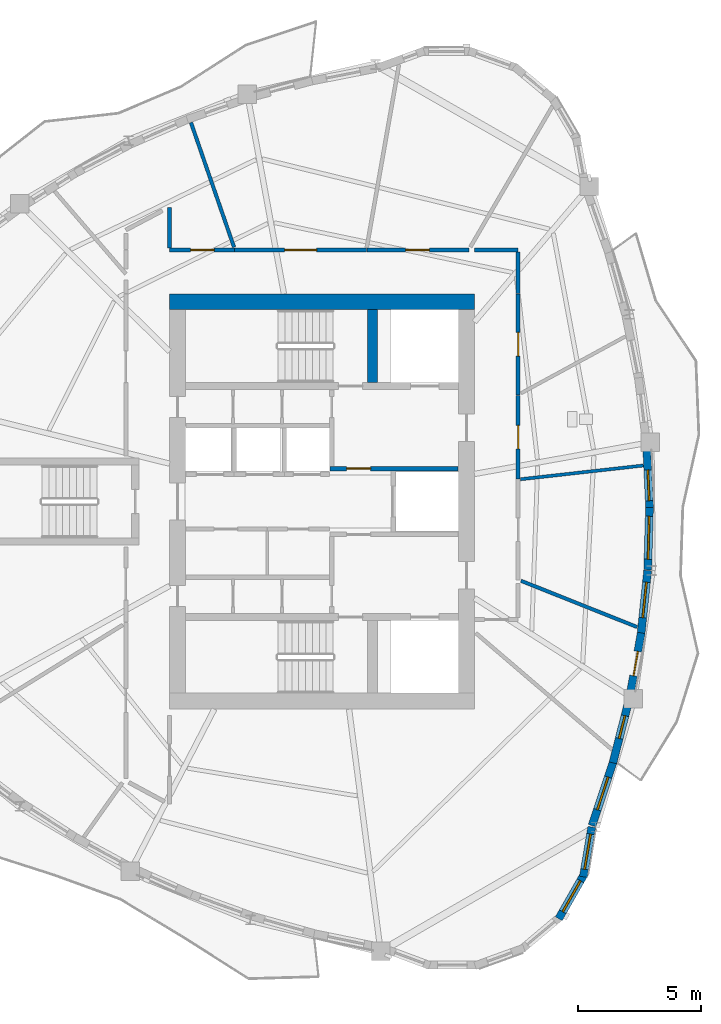
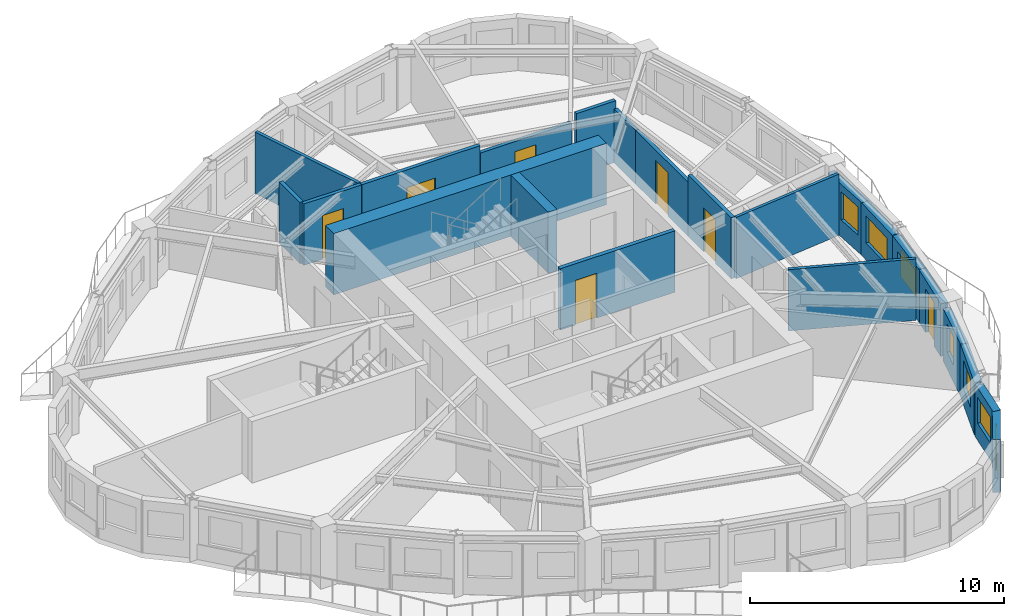
# One storey, part 6 of 12: 22 walls, 7 doors, 7 windows, 14 openings.
"""IFC4 building model written with IfcOpenShell, lengths in metres."""

import ifcopenshell
import ifcopenshell.guid

model = None  # the IFC model being written
_history = None  # IfcOwnerHistory: only IFC2X3 demands one
_inside = {}  # id of a spatial element -> (the spatial element, [elements in it])
_under = {}  # id of a project, library or spatial element -> (it, [spatial elements below it])
_declared = {}  # id of a project -> (the project, [libraries it declares])
_typed = {}  # id of a type object -> (the type object, [elements of that type])
_made_of = {}  # id of a material, layer set ... -> (it, [elements and type objects made of it])


def new_model(schema):
    """Start an empty IFC model of exactly this schema.

    Asked for "IFC4X3", IfcOpenShell would pick the latest addendum, in which some entities
    have other attributes; the version numbers below select the first issue.
    IFC2X3 requires an IfcOwnerHistory on every rooted entity: one is made here for all.
    """
    global model, _history
    if schema == "IFC4X3":
        model = ifcopenshell.file(schema_version=(4, 3, 0, 0))
    else:
        model = ifcopenshell.file(schema=schema)
    _inside.clear()
    _under.clear()
    _declared.clear()
    _typed.clear()
    _made_of.clear()
    _history = None
    if model.schema == "IFC2X3":
        org = make("IfcOrganization", Name="unknown")
        user = make(
            "IfcPersonAndOrganization",
            ThePerson=make("IfcPerson", FamilyName="unknown"),
            TheOrganization=org,
        )
        app = make(
            "IfcApplication",
            ApplicationDeveloper=org,
            Version="unknown",
            ApplicationFullName="unknown",
            ApplicationIdentifier="unknown",
        )
        _history = make(
            "IfcOwnerHistory",
            OwningUser=user,
            OwningApplication=app,
            ChangeAction="ADDED",
            CreationDate=0,
        )
    return model


def make(cls, **values):
    """One entity of the class cls with the attributes given. An attribute that is None is left unset."""
    return model.create_entity(
        cls, **{name: value for name, value in values.items() if value is not None}
    )


def rooted(cls, **values):
    """An entity with a GlobalId (a new one), such as an element, a storey or a relation."""
    return make(cls, GlobalId=ifcopenshell.guid.new(), OwnerHistory=_history, **values)


def si_unit(unit_type, name, prefix=None):
    """IfcSIUnit, for example si_unit("LENGTHUNIT", "METRE", prefix="MILLI")."""
    return make("IfcSIUnit", UnitType=unit_type, Prefix=prefix, Name=name)


def assignment(units):
    """IfcUnitAssignment: the units of a project."""
    return None if units is None else make("IfcUnitAssignment", Units=units)


def point(xyz):
    """IfcCartesianPoint."""
    return None if xyz is None else make("IfcCartesianPoint", Coordinates=xyz)


def direction(xyz):
    """IfcDirection."""
    return None if xyz is None else make("IfcDirection", DirectionRatios=xyz)


def frame(location, z_axis=None, x_axis=None):
    """IfcAxis2Placement3D, a coordinate frame: its origin and axes. An axis left out is left unset."""
    return make(
        "IfcAxis2Placement3D",
        Location=point(location),
        Axis=direction(z_axis),
        RefDirection=direction(x_axis),
    )


def frame_2d(location, x_axis=None):
    """IfcAxis2Placement2D, a coordinate frame in the plane: its origin and x axis."""
    return make(
        "IfcAxis2Placement2D", Location=point(location), RefDirection=direction(x_axis)
    )


def origin():
    """The frame at (0, 0, 0) with its axes left unset."""
    return frame((0.0, 0.0, 0.0))


def place(relative_to, where):
    """IfcLocalPlacement: puts the frame where relative to a parent placement (None: the world)."""
    return make(
        "IfcLocalPlacement", PlacementRelTo=relative_to, RelativePlacement=where
    )


def context(
    kind, dimensions, precision=None, world=None, true_north=None, identifier=None
):
    """IfcGeometricRepresentationContext, for example the 3D "Model" context."""
    return make(
        "IfcGeometricRepresentationContext",
        ContextIdentifier=identifier,
        ContextType=kind,
        CoordinateSpaceDimension=dimensions,
        Precision=precision,
        WorldCoordinateSystem=world,
        TrueNorth=true_north,
    )


def subcontext(parent, identifier, kind, view, scale=None):
    """IfcGeometricRepresentationSubContext, for example "Body" below "Model"."""
    return make(
        "IfcGeometricRepresentationSubContext",
        ContextIdentifier=identifier,
        ContextType=kind,
        ParentContext=parent,
        TargetScale=scale,
        TargetView=view,
    )


def project(units=None, contexts=None):
    """IfcProject with its units and contexts."""
    return rooted(
        "IfcProject",
        Name="project",
        RepresentationContexts=contexts,
        UnitsInContext=assignment(units),
    )


def spatial(cls, under=None, at=None, **own):
    """A site, building, storey or space (cls), placed at a placement, below another one or the project."""
    s = rooted(cls, ObjectPlacement=at, **own)
    if under is not None:
        _under.setdefault(under.id(), (under, []))[1].append(s)
    return s


def profile(cls, at=None, kind="AREA", **sizes):
    """A parametric profile (cls). Its sizes go by their IFC names, for example OverallWidth=200.0."""
    return make(cls, ProfileType=kind, Position=at, **sizes)


def rectangle(**sizes):
    """IfcRectangleProfileDef."""
    return profile("IfcRectangleProfileDef", **sizes)


def extrude(swept, where, along, depth):
    """IfcExtrudedAreaSolid: the profile swept, set in the frame where, extruded along a direction by depth."""
    return make(
        "IfcExtrudedAreaSolid",
        SweptArea=swept,
        Position=where,
        ExtrudedDirection=direction(along),
        Depth=depth,
    )


def shape(context_of_items, identifier, shape_type, items):
    """IfcShapeRepresentation: the items that make up one representation, for example the "Body"."""
    return make(
        "IfcShapeRepresentation",
        ContextOfItems=context_of_items,
        RepresentationIdentifier=identifier,
        RepresentationType=shape_type,
        Items=items,
    )


def source(mapping_origin, context_of_items, identifier, shape_type, items):
    """IfcRepresentationMap: a shape defined once, which mapped items show again and again."""
    return make(
        "IfcRepresentationMap",
        MappingOrigin=mapping_origin,
        MappedRepresentation=shape(context_of_items, identifier, shape_type, items),
    )


def transform(
    local_origin,
    x_axis=None,
    y_axis=None,
    z_axis=None,
    scale=None,
    scale2=None,
    scale3=None,
    uniform=True,
):
    """IfcCartesianTransformationOperator3D, or its non-uniform kind. x_axis, y_axis, z_axis: its Axis1, 2, 3."""
    if uniform:
        return make(
            "IfcCartesianTransformationOperator3D",
            Axis1=direction(x_axis),
            Axis2=direction(y_axis),
            LocalOrigin=point(local_origin),
            Scale=scale,
            Axis3=direction(z_axis),
        )
    return make(
        "IfcCartesianTransformationOperator3DnonUniform",
        Axis1=direction(x_axis),
        Axis2=direction(y_axis),
        LocalOrigin=point(local_origin),
        Scale=scale,
        Axis3=direction(z_axis),
        Scale2=scale2,
        Scale3=scale3,
    )


def mapped(mapping_source, mapping_target):
    """IfcMappedItem: shows the shape of a source again, moved by a transform."""
    return make(
        "IfcMappedItem", MappingSource=mapping_source, MappingTarget=mapping_target
    )


def material(Name=None, Category=None):
    """IfcMaterial."""
    return make("IfcMaterial", Name=Name, Category=Category)


def layer(
    of_material, thickness, ventilated=None, Name=None, Category=None, Priority=None
):
    """IfcMaterialLayer: one layer of a wall or slab, of a material (None: an air gap)."""
    return make(
        "IfcMaterialLayer",
        Material=of_material,
        LayerThickness=thickness,
        IsVentilated=ventilated,
        Name=Name,
        Category=Category,
        Priority=Priority,
    )


def layer_set(layers, Name=None):
    """IfcMaterialLayerSet."""
    return make("IfcMaterialLayerSet", MaterialLayers=layers, LayerSetName=Name)


def made_of(thing, what):
    """Note that an element or type object is made of a material, layer set ...; save() writes the relation."""
    if what is not None:
        _made_of.setdefault(what.id(), (what, []))[1].append(thing)
    return thing


def type_object(cls, material=None, **own):
    """A type object (cls), such as IfcWallType, which elements share."""
    return made_of(rooted(cls, **own), material)


def element(
    cls,
    number,
    at=None,
    inside=None,
    cuts=None,
    type_object=None,
    material=None,
    context=None,
    identifier="Body",
    shape_type=None,
    held_by="IfcProductDefinitionShape",
    body=None,
    shapes=None,
    **own,
):
    """One element of the class cls, such as IfcWall. Its Tag is "e" and its number.

    at: its placement. inside: the storey or other place that contains it. cuts: it is an
    opening in that element (IfcRelVoidsElement). A single representation is given by context,
    identifier, shape_type and body (its items); several are given by shapes. held_by: the class
    of the entity that holds the representations. save() writes the other relations.
    """
    e = rooted(cls, Tag="e%d" % number, ObjectPlacement=at, **own)
    if body is not None:
        shapes = [shape(context, identifier, shape_type, body)]
    if shapes is not None:
        e.Representation = make(held_by, Representations=shapes)
    if inside is not None:
        _inside.setdefault(inside.id(), (inside, []))[1].append(e)
    if cuts is not None:
        rooted(
            "IfcRelVoidsElement", RelatingBuildingElement=cuts, RelatedOpeningElement=e
        )
    if type_object is not None:
        _typed.setdefault(type_object.id(), (type_object, []))[1].append(e)
    return made_of(e, material)


def fill(opening, filler):
    """IfcRelFillsElement: the door or window that sits in an opening."""
    return rooted(
        "IfcRelFillsElement",
        RelatingOpeningElement=opening,
        RelatedBuildingElement=filler,
    )


def aggregate(whole, parts):
    """IfcRelAggregates: a whole, such as a stair, and the parts it consists of."""
    return rooted("IfcRelAggregates", RelatingObject=whole, RelatedObjects=parts)


def save(model, path):
    """Write the relations noted so far, then the file.

    IfcRelAggregates (storeys below a building ...), IfcRelContainedInSpatialStructure (elements
    in a storey), IfcRelDefinesByType, IfcRelAssociatesMaterial and IfcRelDeclares: one each for
    every whole, place, type object, material and project.
    """
    for whole, parts in _under.values():
        aggregate(whole, parts)
    for where, things in _inside.values():
        rooted(
            "IfcRelContainedInSpatialStructure",
            RelatedElements=things,
            RelatingStructure=where,
        )
    for kind, things in _typed.values():
        rooted("IfcRelDefinesByType", RelatedObjects=things, RelatingType=kind)
    for what, things in _made_of.values():
        rooted("IfcRelAssociatesMaterial", RelatedObjects=things, RelatingMaterial=what)
    for by, libraries in _declared.values():
        rooted("IfcRelDeclares", RelatingContext=by, RelatedDefinitions=libraries)
    model.write(path)


model = new_model("IFC4")

# Units and contexts
model_context = context("Model", 3, precision=1e-05, world=origin(), true_north=direction((0.0, 1.0)))
body_context = subcontext(model_context, "Body", "Model", "MODEL_VIEW")
ifc_project = project(units=[si_unit("LENGTHUNIT", "METRE"), si_unit("AREAUNIT", "SQUARE_METRE"), si_unit("VOLUMEUNIT", "CUBIC_METRE"), si_unit("PLANEANGLEUNIT", "RADIAN"), si_unit("MASSUNIT", "GRAM", prefix="KILO")], contexts=[model_context])

# Site, building, storey
site_placement = place(None, origin())
site = spatial("IfcSite", under=ifc_project, at=site_placement, CompositionType="ELEMENT")
building_placement = place(site_placement, origin())
building = spatial("IfcBuilding", under=site, at=building_placement, Name="Qafzar Sky-Pleat Residences", CompositionType="ELEMENT")
storey_placement = place(building_placement, frame((0.0, 0.0, 181.0)))
storey = spatial("IfcBuildingStorey", under=building, at=storey_placement, Name="L54", CompositionType="ELEMENT", Elevation=181.0)

# Wall, opening, door
ifc_material_1 = material(Name="Acoustic gypsum plasterboard partition", Category="gypsum")
ifc_layer_1 = layer(ifc_material_1, 0.159912109375)
ifc_layer_set_1 = layer_set([ifc_layer_1], Name="Acoustic gypsum plasterboard partition")
wall_type_1 = type_object("IfcWallType", Name="PART-COR-160", PredefinedType="PARTITIONING", material=ifc_layer_set_1)
wall_1_placement = place(storey_placement, frame((26.7958984375, 36.22998046875, 0.0), z_axis=(0.0, 0.0, 1.0), x_axis=(1.0, 0.0, 0.0)))
wall_1 = element("IfcWall", 1, at=wall_1_placement, inside=storey, type_object=wall_type_1, Name="L54 Partition Wall PART-L54-PW-003", PredefinedType="PARTITIONING", context=body_context, shape_type="SweptSolid", body=[
    extrude(rectangle(XDim=5.37109375, YDim=0.159912109375, at=frame_2d((2.685546875, 0.0))), origin(), (0.0, 0.0, 1.0), 2.949951171875),
])
opening_1_placement = place(wall_1_placement, frame((2.035888671875, 0.0, 0.0)))
opening_1 = element("IfcOpeningElement", 2, at=opening_1_placement, cuts=wall_1, Name="Opening ID-05", PredefinedType="OPENING", context=body_context, shape_type="SweptSolid", body=[
    extrude(rectangle(XDim=1.300048828125, YDim=2.10009765625, at=frame_2d((0.64990234375, 1.050048828125))), frame((0.0, 0.08984375, 0.0), z_axis=(0.0, -1.0, 0.0), x_axis=(1.0, 0.0, 0.0)), (0.0, 0.0, 1.0), 0.179931640625),
])
ifc_material_2 = material(Name="Timber-faced fire door", Category="wood")
door_type_1 = type_object("IfcDoorType", Name="DR-LNG-1300", OperationType="DOUBLE_DOOR_SINGLE_SWING", PredefinedType="DOOR", material=ifc_material_2)
shared_shape_1 = source(origin(), body_context, "Body", "SweptSolid", [
    extrude(rectangle(XDim=1.300048828125, YDim=2.10009765625, at=frame_2d((0.64990234375, 1.050048828125))), frame((0.0, 0.02490234375, 0.0), z_axis=(0.0, -1.0, 0.0), x_axis=(1.0, 0.0, 0.0)), (0.0, 0.0, 1.0), 0.050048828125),
])
door_1_placement = place(opening_1_placement, origin())
door_1 = element("IfcDoor", 3, at=door_1_placement, inside=storey, type_object=door_type_1, Name="L54 Graduate Lecture Room Door", OperationType="DOUBLE_DOOR_SINGLE_SWING", OverallHeight=2.10009765625, OverallWidth=1.300048828125, PredefinedType="DOOR", context=body_context, shape_type="MappedRepresentation", body=[
    mapped(shared_shape_1, transform((0.0, 0.0, 0.0), x_axis=(1.0, 0.0, 0.0), y_axis=(0.0, 1.0, 0.0), z_axis=(0.0, 0.0, 1.0), scale=1.0)),
])
fill(opening_1, door_1)

wall_2_placement = place(storey_placement, frame((32.181884765625, 36.22998046875, 0.0), z_axis=(0.0, 0.0, 1.0), x_axis=(1.0, 0.0, 0.0)))
wall_2 = element("IfcWall", 4, at=wall_2_placement, inside=storey, type_object=wall_type_1, Name="L54 Partition Wall PART-L54-PW-004", PredefinedType="PARTITIONING", context=body_context, shape_type="SweptSolid", body=[
    extrude(rectangle(XDim=4.149169921875, YDim=0.159912109375, at=frame_2d((2.07470703125, 0.0))), origin(), (0.0, 0.0, 1.0), 2.587890625),
])
opening_2_placement = place(wall_2_placement, frame((1.571044921875, 0.0, 0.0)))
opening_2 = element("IfcOpeningElement", 5, at=opening_2_placement, cuts=wall_2, Name="Opening ID-06", PredefinedType="OPENING", context=body_context, shape_type="SweptSolid", body=[
    extrude(rectangle(XDim=0.9599609375, YDim=2.10009765625, at=frame_2d((0.47998046875, 1.050048828125))), frame((0.0, 0.08984375, 0.0), z_axis=(0.0, -1.0, 0.0), x_axis=(1.0, 0.0, 0.0)), (0.0, 0.0, 1.0), 0.179931640625),
])
door_type_2 = type_object("IfcDoorType", Name="DR-STD-960", OperationType="NOTDEFINED", PredefinedType="DOOR", material=ifc_material_2)
shared_shape_2 = source(origin(), body_context, "Body", "SweptSolid", [
    extrude(rectangle(XDim=0.9599609375, YDim=2.10009765625, at=frame_2d((0.47998046875, 1.050048828125))), frame((0.0, 0.02490234375, 0.0), z_axis=(0.0, -1.0, 0.0), x_axis=(1.0, 0.0, 0.0)), (0.0, 0.0, 1.0), 0.050048828125),
])
door_2_placement = place(opening_2_placement, origin())
door_2 = element("IfcDoor", 6, at=door_2_placement, inside=storey, type_object=door_type_2, Name="L54 Scholar Co-Working Workspace Door", OperationType="SINGLE_SWING_LEFT", OverallHeight=2.10009765625, OverallWidth=0.9599609375, PredefinedType="DOOR", context=body_context, shape_type="MappedRepresentation", body=[
    mapped(shared_shape_2, transform((0.0, 0.0, 0.0), x_axis=(1.0, 0.0, 0.0), y_axis=(0.0, 1.0, 0.0), z_axis=(0.0, 0.0, 1.0), scale=1.0)),
])
fill(opening_2, door_2)

wall_3_placement = place(storey_placement, frame((38.330078125, 34.449951171875, 0.0), z_axis=(0.0, 0.0, 1.0), x_axis=(0.0, -1.0, 0.0)))
wall_3 = element("IfcWall", 7, at=wall_3_placement, inside=storey, type_object=wall_type_1, Name="L54 Partition Wall PART-L54-PW-005", PredefinedType="PARTITIONING", context=body_context, shape_type="SweptSolid", body=[
    extrude(rectangle(XDim=4.1259765625, YDim=0.159912109375, at=frame_2d((2.06298828125, 0.0))), origin(), (0.0, 0.0, 1.0), 2.587890625),
])
opening_3_placement = place(wall_3_placement, frame((1.574462890625, 0.0, 0.0)))
opening_3 = element("IfcOpeningElement", 8, at=opening_3_placement, cuts=wall_3, Name="Opening ID-06", PredefinedType="OPENING", context=body_context, shape_type="SweptSolid", body=[
    extrude(rectangle(XDim=0.9599609375, YDim=2.10009765625, at=frame_2d((0.47998046875, 1.050048828125))), frame((0.0, 0.08984375, 0.0), z_axis=(0.0, -1.0, 0.0), x_axis=(1.0, 0.0, 0.0)), (0.0, 0.0, 1.0), 0.179931640625),
])
door_3_placement = place(opening_3_placement, origin())
door_3 = element("IfcDoor", 9, at=door_3_placement, inside=storey, type_object=door_type_2, Name="L54 Faculty Research Office Door", OperationType="SINGLE_SWING_RIGHT", OverallHeight=2.10009765625, OverallWidth=0.9599609375, PredefinedType="DOOR", context=body_context, shape_type="MappedRepresentation", body=[
    mapped(shared_shape_2, transform((0.0, 0.0, 0.0), x_axis=(1.0, 0.0, 0.0), y_axis=(0.0, 1.0, 0.0), z_axis=(0.0, 0.0, 1.0), scale=1.0)),
])
fill(opening_3, door_3)

wall_4_placement = place(storey_placement, frame((38.330078125, 30.30908203125, 0.0), z_axis=(0.0, 0.0, 1.0), x_axis=(0.0, -1.0, 0.0)))
wall_4 = element("IfcWall", 10, at=wall_4_placement, inside=storey, type_object=wall_type_1, Name="L54 Partition Wall PART-L54-PW-008", PredefinedType="PARTITIONING", context=body_context, shape_type="SweptSolid", body=[
    extrude(rectangle(XDim=3.385009765625, YDim=0.159912109375, at=frame_2d((1.6923828125, 0.0))), origin(), (0.0, 0.0, 1.0), 2.949951171875),
])
opening_4_placement = place(wall_4_placement, frame((1.216552734375, 0.0, 0.0)))
opening_4 = element("IfcOpeningElement", 11, at=opening_4_placement, cuts=wall_4, Name="Opening ID-08", PredefinedType="OPENING", context=body_context, shape_type="SweptSolid", body=[
    extrude(rectangle(XDim=0.949951171875, YDim=2.10009765625, at=frame_2d((0.47509765625, 1.050048828125))), frame((0.0, 0.08984375, 0.0), z_axis=(0.0, -1.0, 0.0), x_axis=(1.0, 0.0, 0.0)), (0.0, 0.0, 1.0), 0.179931640625),
])
door_type_3 = type_object("IfcDoorType", Name="DR-AWC-950", OperationType="NOTDEFINED", PredefinedType="DOOR", material=ifc_material_2)
shared_shape_3 = source(origin(), body_context, "Body", "SweptSolid", [
    extrude(rectangle(XDim=0.949951171875, YDim=2.10009765625, at=frame_2d((0.47509765625, 1.050048828125))), frame((0.0, 0.02490234375, 0.0), z_axis=(0.0, -1.0, 0.0), x_axis=(1.0, 0.0, 0.0)), (0.0, 0.0, 1.0), 0.050048828125),
])
door_4_placement = place(opening_4_placement, origin())
door_4 = element("IfcDoor", 12, at=door_4_placement, inside=storey, type_object=door_type_3, Name="L54 Accessible Shared Washroom Door", OperationType="SINGLE_SWING_RIGHT", OverallHeight=2.10009765625, OverallWidth=0.949951171875, PredefinedType="DOOR", context=body_context, shape_type="MappedRepresentation", body=[
    mapped(shared_shape_3, transform((0.0, 0.0, 0.0), x_axis=(1.0, 0.0, 0.0), y_axis=(0.0, 1.0, 0.0), z_axis=(0.0, 0.0, 1.0), scale=1.0)),
])
fill(opening_4, door_4)

wall_5_placement = place(storey_placement, frame((24.14990234375, 36.22998046875, 0.0), z_axis=(0.0, 0.0, 1.0), x_axis=(1.0, 0.0, 0.0)))
wall_5 = element("IfcWall", 13, at=wall_5_placement, inside=storey, type_object=wall_type_1, Name="L54 Partition Wall PART-L54-PW-010", PredefinedType="PARTITIONING", context=body_context, shape_type="SweptSolid", body=[
    extrude(rectangle(XDim=2.631103515625, YDim=0.159912109375, at=frame_2d((1.3154296875, 0.0))), origin(), (0.0, 0.0, 1.0), 2.949951171875),
])
opening_5_placement = place(wall_5_placement, frame((0.85107421875, 0.0, 0.0)))
opening_5 = element("IfcOpeningElement", 14, at=opening_5_placement, cuts=wall_5, Name="Opening ID-06", PredefinedType="OPENING", context=body_context, shape_type="SweptSolid", body=[
    extrude(rectangle(XDim=0.9599609375, YDim=2.10009765625, at=frame_2d((0.47998046875, 1.050048828125))), frame((0.0, 0.08984375, 0.0), z_axis=(0.0, -1.0, 0.0), x_axis=(1.0, 0.0, 0.0)), (0.0, 0.0, 1.0), 0.179931640625),
])
door_5_placement = place(opening_5_placement, origin())
door_5 = element("IfcDoor", 15, at=door_5_placement, inside=storey, type_object=door_type_2, Name="L54 Wellness Yoga Studio Door", OperationType="SINGLE_SWING_LEFT", OverallHeight=2.10009765625, OverallWidth=0.9599609375, PredefinedType="DOOR", context=body_context, shape_type="MappedRepresentation", body=[
    mapped(shared_shape_2, transform((0.0, 0.0, 0.0), x_axis=(1.0, 0.0, 0.0), y_axis=(0.0, 1.0, 0.0), z_axis=(0.0, 0.0, 1.0), scale=1.0)),
])
fill(opening_5, door_5)

# Walls
wall_6_placement = place(storey_placement, frame((36.550048828125, 36.22998046875, 0.0), z_axis=(0.0, 0.0, 1.0), x_axis=(1.0, 0.0, 0.0)))
element("IfcWall", 16, at=wall_6_placement, inside=storey, type_object=wall_type_1, Name="L54 Partition Wall PART-L54-PW-024", PredefinedType="PARTITIONING", context=body_context, shape_type="SweptSolid", body=[
    extrude(rectangle(XDim=1.780029296875, YDim=0.159912109375, at=frame_2d((0.89013671875, 0.0))), origin(), (0.0, 0.0, 1.0), 2.949951171875),
])
wall_7_placement = place(storey_placement, frame((38.330078125, 34.465087890625, 0.0), z_axis=(0.0, 0.0, 1.0), x_axis=(0.0, 1.0, 0.0)))
element("IfcWall", 17, at=wall_7_placement, inside=storey, type_object=wall_type_1, Name="L54 Partition Wall PART-L54-PW-025", PredefinedType="PARTITIONING", context=body_context, shape_type="SweptSolid", body=[
    extrude(rectangle(XDim=1.677001953125, YDim=0.159912109375, at=frame_2d((0.83837890625, 0.0))), origin(), (0.0, 0.0, 1.0), 2.587890625),
])
wall_8_placement = place(storey_placement, frame((24.14990234375, 36.318115234375, 0.0), z_axis=(0.0, 0.0, 1.0), x_axis=(0.0, 1.0, 0.0)))
element("IfcWall", 18, at=wall_8_placement, inside=storey, type_object=wall_type_1, Name="L54 Partition Wall PART-L54-PW-026", PredefinedType="PARTITIONING", context=body_context, shape_type="SweptSolid", body=[
    extrude(rectangle(XDim=1.637939453125, YDim=0.159912109375, at=frame_2d((0.81884765625, 0.0))), origin(), (0.0, 0.0, 1.0), 2.949951171875),
])

# Wall, opening, door
ifc_material_3 = material(Name="Concrete blockwork partition", Category="masonry")
ifc_layer_2 = layer(ifc_material_3, 0.179931640625)
ifc_layer_set_2 = layer_set([ifc_layer_2], Name="Concrete blockwork partition")
wall_type_2 = type_object("IfcWallType", Name="PART-SHAFT-180", PredefinedType="PARTITIONING", material=ifc_layer_set_2)
wall_9_placement = place(storey_placement, frame((30.669921875, 27.340087890625, 0.0), z_axis=(0.0, 0.0, 1.0), x_axis=(1.0, 0.0, 0.0)))
wall_9 = element("IfcWall", 19, at=wall_9_placement, inside=storey, type_object=wall_type_2, Name="L54 Partition Wall PART-L54-FFL2-S", PredefinedType="PARTITIONING", context=body_context, shape_type="SweptSolid", body=[
    extrude(rectangle(XDim=5.219970703125, YDim=0.179931640625, at=frame_2d((2.60986328125, 0.0))), origin(), (0.0, 0.0, 1.0), 2.949951171875),
])
opening_6_placement = place(wall_9_placement, frame((0.679931640625, 0.0, 0.0)))
opening_6 = element("IfcOpeningElement", 20, at=opening_6_placement, cuts=wall_9, Name="Opening ID-01", PredefinedType="OPENING", context=body_context, shape_type="SweptSolid", body=[
    extrude(rectangle(XDim=0.97998046875, YDim=2.14990234375, at=frame_2d((0.489990234375, 1.074951171875))), frame((0.0, 0.10009765625, 0.0), z_axis=(0.0, -1.0, 0.0), x_axis=(1.0, 0.0, 0.0)), (0.0, 0.0, 1.0), 0.199951171875),
])
door_type_4 = type_object("IfcDoorType", Name="DR-STAIR-980", OperationType="NOTDEFINED", PredefinedType="DOOR", material=ifc_material_2)
shared_shape_4 = source(origin(), body_context, "Body", "SweptSolid", [
    extrude(rectangle(XDim=0.97998046875, YDim=2.14990234375, at=frame_2d((0.489990234375, 1.074951171875))), frame((0.0, 0.02490234375, 0.0), z_axis=(0.0, -1.0, 0.0), x_axis=(1.0, 0.0, 0.0)), (0.0, 0.0, 1.0), 0.050048828125),
])
door_6_placement = place(opening_6_placement, origin())
door_6 = element("IfcDoor", 21, at=door_6_placement, inside=storey, type_object=door_type_4, Name="L54 Lift Lobby to North Firefighting Lobby Door", OperationType="SINGLE_SWING_LEFT", OverallHeight=2.14990234375, OverallWidth=0.97998046875, PredefinedType="DOOR", context=body_context, shape_type="MappedRepresentation", body=[
    mapped(shared_shape_4, transform((0.0, 0.0, 0.0), x_axis=(1.0, 0.0, 0.0), y_axis=(0.0, 1.0, 0.0), z_axis=(0.0, 0.0, 1.0), scale=1.0)),
])
fill(opening_6, door_6)

# Walls
ifc_layer_3 = layer(ifc_material_1, 0.14501953125)
ifc_layer_set_3 = layer_set([ifc_layer_3], Name="Acoustic gypsum plasterboard partition")
wall_type_3 = type_object("IfcWallType", Name="PART-UNIT-145", PredefinedType="PARTITIONING", material=ifc_layer_set_3)
wall_10_placement = place(storey_placement, frame((25.0185546875, 41.416015625, 0.0), z_axis=(0.0, 0.0, 1.0), x_axis=(0.326820085254, -0.945086573746, 0.0)))
element("IfcWall", 22, at=wall_10_placement, inside=storey, type_object=wall_type_3, Name="L54 Partition Wall PART-L54-PW-017", PredefinedType="PARTITIONING", context=body_context, shape_type="SweptSolid", body=[
    extrude(rectangle(XDim=5.36962890625, YDim=0.14501953125, at=frame_2d((2.684814453125, 0.0))), origin(), (0.0, 0.0, 1.0), 2.949951171875),
])
wall_11_placement = place(storey_placement, frame((38.4443359375, 22.7744140625, 0.0), z_axis=(0.0, 0.0, 1.0), x_axis=(0.928995588187, -0.37009079579, 0.0)))
element("IfcWall", 23, at=wall_11_placement, inside=storey, type_object=wall_type_3, Name="L54 Partition Wall PART-L54-PW-018", PredefinedType="PARTITIONING", context=body_context, shape_type="SweptSolid", body=[
    extrude(rectangle(XDim=5.08544921875, YDim=0.14501953125, at=frame_2d((2.542724609375, 0.0))), origin(), (0.0, 0.0, 1.0), 2.949951171875),
])
ifc_material_4 = material(Name="Moisture-resistant gypsum partition", Category="gypsum")
ifc_layer_4 = layer(ifc_material_4, 0.1298828125)
ifc_layer_set_4 = layer_set([ifc_layer_4], Name="Moisture-resistant gypsum partition")
wall_type_4 = type_object("IfcWallType", Name="PART-WET-130", PredefinedType="PARTITIONING", material=ifc_layer_set_4)
wall_12_placement = place(storey_placement, frame((38.42529296875, 26.904541015625, 0.0), z_axis=(0.0, 0.0, 1.0), x_axis=(0.993793959726, 0.111236530025, 0.0)))
element("IfcWall", 24, at=wall_12_placement, inside=storey, type_object=wall_type_4, Name="L54 Partition Wall PART-L54-PW-019", PredefinedType="PARTITIONING", context=body_context, shape_type="SweptSolid", body=[
    extrude(rectangle(XDim=5.026123046875, YDim=0.1298828125, at=frame_2d((2.51318359375, 0.0))), origin(), (0.0, 0.0, 1.0), 2.949951171875),
])

# Wall, opening, window
ifc_material_5 = material(Name="Precast concrete C40/50 with honed Riyadh limestone", Category="concrete")
ifc_layer_5 = layer(ifc_material_5, 0.320068359375)
ifc_layer_set_5 = layer_set([ifc_layer_5], Name="Precast concrete C40/50 with honed Riyadh limestone")
wall_type_5 = type_object("IfcWallType", Name="WALL-EXT-320", PredefinedType="SOLIDWALL", material=ifc_layer_set_5)
wall_13_placement = place(storey_placement, frame((39.980224609375, 9.025390625, 0.0), z_axis=(0.0, 0.0, 1.0), x_axis=(0.495714993308, 0.868485259178, 0.0)))
wall_13 = element("IfcWall", 25, at=wall_13_placement, inside=storey, type_object=wall_type_5, Name="L54 Limestone Facade Wall 21", PredefinedType="SOLIDWALL", context=body_context, shape_type="SweptSolid", body=[
    extrude(rectangle(XDim=2.10888671875, YDim=0.320068359375, at=frame_2d((1.054443359375, 0.0))), origin(), (0.0, 0.0, 1.0), 2.530029296875),
])
opening_7_placement = place(wall_13_placement, frame((0.329345703125, 0.0, 0.820068359375)))
opening_7 = element("IfcOpeningElement", 26, at=opening_7_placement, cuts=wall_13, Name="Opening WN-15", PredefinedType="OPENING", context=body_context, shape_type="SweptSolid", body=[
    extrude(rectangle(XDim=1.449951171875, YDim=1.25, at=frame_2d((0.72509765625, 0.625))), frame((0.0, 0.169921875, 0.0), z_axis=(0.0, -1.0, 0.0), x_axis=(1.0, 0.0, 0.0)), (0.0, 0.0, 1.0), 0.340087890625),
])
ifc_material_6 = material(Name="Solar-control low-E glass in bronze aluminium frame", Category="glass")
window_type_1 = type_object("IfcWindowType", Name="WIN-15", PartitioningType="SINGLE_PANEL", PredefinedType="WINDOW", material=ifc_material_6)
shared_shape_5 = source(origin(), body_context, "Body", "SweptSolid", [
    extrude(rectangle(XDim=1.449951171875, YDim=1.25, at=frame_2d((0.72509765625, 0.625))), frame((0.0, 0.030029296875, 0.0), z_axis=(0.0, -1.0, 0.0), x_axis=(1.0, 0.0, 0.0)), (0.0, 0.0, 1.0), 0.06005859375),
])
window_1_placement = place(opening_7_placement, origin())
window_1 = element("IfcWindow", 27, at=window_1_placement, inside=storey, type_object=window_type_1, Name="L54 Punched Facade Window 21", OverallHeight=1.25, OverallWidth=1.449951171875, PartitioningType="SINGLE_PANEL", PredefinedType="WINDOW", context=body_context, shape_type="MappedRepresentation", body=[
    mapped(shared_shape_5, transform((0.0, 0.0, 0.0), x_axis=(1.0, 0.0, 0.0), y_axis=(0.0, 1.0, 0.0), z_axis=(0.0, 0.0, 1.0), scale=1.0)),
])
fill(opening_7, window_1)

wall_14_placement = place(storey_placement, frame((40.981689453125, 10.733642578125, 0.0), z_axis=(0.0, 0.0, 1.0), x_axis=(0.165711561454, 0.986174263708, 0.0)))
wall_14 = element("IfcWall", 28, at=wall_14_placement, inside=storey, type_object=wall_type_5, Name="L54 Limestone Facade Wall 22", PredefinedType="SOLIDWALL", context=body_context, shape_type="SweptSolid", body=[
    extrude(rectangle(XDim=2.05078125, YDim=0.320068359375, at=frame_2d((1.025390625, 0.0))), origin(), (0.0, 0.0, 1.0), 2.530029296875),
])
opening_8_placement = place(wall_14_placement, frame((0.310302734375, 0.0, 0.820068359375)))
opening_8 = element("IfcOpeningElement", 29, at=opening_8_placement, cuts=wall_14, Name="Opening WN-15", PredefinedType="OPENING", context=body_context, shape_type="SweptSolid", body=[
    extrude(rectangle(XDim=1.449951171875, YDim=1.25, at=frame_2d((0.72509765625, 0.625))), frame((0.0, 0.169921875, 0.0), z_axis=(0.0, -1.0, 0.0), x_axis=(1.0, 0.0, 0.0)), (0.0, 0.0, 1.0), 0.340087890625),
])
window_2_placement = place(opening_8_placement, origin())
window_2 = element("IfcWindow", 30, at=window_2_placement, inside=storey, type_object=window_type_1, Name="L54 Punched Facade Window 22", OverallHeight=1.25, OverallWidth=1.449951171875, PartitioningType="SINGLE_PANEL", PredefinedType="WINDOW", context=body_context, shape_type="MappedRepresentation", body=[
    mapped(shared_shape_5, transform((0.0, 0.0, 0.0), x_axis=(1.0, 0.0, 0.0), y_axis=(0.0, 1.0, 0.0), z_axis=(0.0, 0.0, 1.0), scale=1.0)),
])
fill(opening_8, window_2)

wall_15_placement = place(storey_placement, frame((41.3369140625, 12.818603515625, 0.0), z_axis=(0.0, 0.0, 1.0), x_axis=(0.31443095402, 0.949280345922, 0.0)))
wall_15 = element("IfcWall", 31, at=wall_15_placement, inside=storey, type_object=wall_type_5, Name="L54 Limestone Facade Wall 23", PredefinedType="SOLIDWALL", context=body_context, shape_type="SweptSolid", body=[
    extrude(rectangle(XDim=2.772705078125, YDim=0.320068359375, at=frame_2d((1.38623046875, 0.0))), origin(), (0.0, 0.0, 1.0), 2.530029296875),
])
opening_9_placement = place(wall_15_placement, frame((0.67626953125, 0.0, 0.820068359375)))
opening_9 = element("IfcOpeningElement", 32, at=opening_9_placement, cuts=wall_15, Name="Opening WN-10", PredefinedType="OPENING", context=body_context, shape_type="SweptSolid", body=[
    extrude(rectangle(XDim=1.39990234375, YDim=1.35009765625, at=frame_2d((0.699951171875, 0.675048828125))), frame((0.0, 0.169921875, 0.0), z_axis=(0.0, -1.0, 0.0), x_axis=(1.0, 0.0, 0.0)), (0.0, 0.0, 1.0), 0.340087890625),
])
window_type_2 = type_object("IfcWindowType", Name="WIN-10", PartitioningType="SINGLE_PANEL", PredefinedType="WINDOW", material=ifc_material_6)
shared_shape_6 = source(origin(), body_context, "Body", "SweptSolid", [
    extrude(rectangle(XDim=1.39990234375, YDim=1.35009765625, at=frame_2d((0.699951171875, 0.675048828125))), frame((0.0, 0.030029296875, 0.0), z_axis=(0.0, -1.0, 0.0), x_axis=(1.0, 0.0, 0.0)), (0.0, 0.0, 1.0), 0.06005859375),
])
window_3_placement = place(opening_9_placement, origin())
window_3 = element("IfcWindow", 33, at=window_3_placement, inside=storey, type_object=window_type_2, Name="L54 Punched Facade Window 23", OverallHeight=1.35009765625, OverallWidth=1.39990234375, PartitioningType="SINGLE_PANEL", PredefinedType="WINDOW", context=body_context, shape_type="MappedRepresentation", body=[
    mapped(shared_shape_6, transform((0.0, 0.0, 0.0), x_axis=(1.0, 0.0, 0.0), y_axis=(0.0, 1.0, 0.0), z_axis=(0.0, 0.0, 1.0), scale=1.0)),
])
fill(opening_9, window_3)

wall_16_placement = place(storey_placement, frame((42.18408203125, 15.3671875, 0.0), z_axis=(0.0, 0.0, 1.0), x_axis=(0.247650778908, 0.968849364817, 0.0)))
wall_16 = element("IfcWall", 34, at=wall_16_placement, inside=storey, type_object=wall_type_5, Name="L54 Limestone Facade Wall 24", PredefinedType="SOLIDWALL", context=body_context, shape_type="SweptSolid", body=[
    extrude(rectangle(XDim=2.570068359375, YDim=0.320068359375, at=frame_2d((1.28515625, 0.0))), origin(), (0.0, 0.0, 1.0), 2.530029296875),
])
opening_10_placement = place(wall_16_placement, frame((1.02783203125, 0.0, 0.820068359375)))
opening_10 = element("IfcOpeningElement", 35, at=opening_10_placement, cuts=wall_16, Name="Opening WN-12", PredefinedType="OPENING", context=body_context, shape_type="SweptSolid", body=[
    extrude(rectangle(XDim=0.949951171875, YDim=1.35009765625, at=frame_2d((0.47509765625, 0.675048828125))), frame((0.0, 0.169921875, 0.0), z_axis=(0.0, -1.0, 0.0), x_axis=(1.0, 0.0, 0.0)), (0.0, 0.0, 1.0), 0.340087890625),
])
window_type_3 = type_object("IfcWindowType", Name="WIN-12", PartitioningType="SINGLE_PANEL", PredefinedType="WINDOW", material=ifc_material_6)
shared_shape_7 = source(origin(), body_context, "Body", "SweptSolid", [
    extrude(rectangle(XDim=0.949951171875, YDim=1.35009765625, at=frame_2d((0.47509765625, 0.675048828125))), frame((0.0, 0.030029296875, 0.0), z_axis=(0.0, -1.0, 0.0), x_axis=(1.0, 0.0, 0.0)), (0.0, 0.0, 1.0), 0.06005859375),
])
window_4_placement = place(opening_10_placement, origin())
window_4 = element("IfcWindow", 36, at=window_4_placement, inside=storey, type_object=window_type_3, Name="L54 Punched Facade Window 24-2", OverallHeight=1.35009765625, OverallWidth=0.949951171875, PartitioningType="SINGLE_PANEL", PredefinedType="WINDOW", context=body_context, shape_type="MappedRepresentation", body=[
    mapped(shared_shape_7, transform((0.0, 0.0, 0.0), x_axis=(1.0, 0.0, 0.0), y_axis=(0.0, 1.0, 0.0), z_axis=(0.0, 0.0, 1.0), scale=1.0)),
])
fill(opening_10, window_4)

# Wall, opening, door
wall_17_placement = place(storey_placement, frame((42.88818359375, 18.168212890625, 0.0), z_axis=(0.0, 0.0, 1.0), x_axis=(0.177158615295, 0.984182312901, 0.0)))
wall_17 = element("IfcWall", 37, at=wall_17_placement, inside=storey, type_object=wall_type_5, Name="L54 Limestone Facade Wall 25", PredefinedType="SOLIDWALL", context=body_context, shape_type="SweptSolid", body=[
    extrude(rectangle(XDim=2.526123046875, YDim=0.320068359375, at=frame_2d((1.26318359375, 0.0))), origin(), (0.0, 0.0, 1.0), 2.530029296875),
])
opening_11_placement = place(wall_17_placement, frame((0.758056640625, 0.0, 0.0)))
opening_11 = element("IfcOpeningElement", 38, at=opening_11_placement, cuts=wall_17, Name="Opening ED-05", PredefinedType="OPENING", context=body_context, shape_type="SweptSolid", body=[
    extrude(rectangle(XDim=1.0, YDim=2.10009765625, at=frame_2d((0.5, 1.050048828125))), frame((0.0, 0.169921875, 0.0), z_axis=(0.0, -1.0, 0.0), x_axis=(1.0, 0.0, 0.0)), (0.0, 0.0, 1.0), 0.340087890625),
])
ifc_material_7 = material(Name="Glazed bronze aluminium door", Category="aluminium")
door_type_5 = type_object("IfcDoorType", Name="DR-BAL-1000", OperationType="NOTDEFINED", PredefinedType="DOOR", material=ifc_material_7)
shared_shape_8 = source(origin(), body_context, "Body", "SweptSolid", [
    extrude(rectangle(XDim=1.0, YDim=2.10009765625, at=frame_2d((0.5, 1.050048828125))), frame((0.0, 0.02490234375, 0.0), z_axis=(0.0, -1.0, 0.0), x_axis=(1.0, 0.0, 0.0)), (0.0, 0.0, 1.0), 0.050048828125),
])
door_7_placement = place(opening_11_placement, origin())
door_7 = element("IfcDoor", 39, at=door_7_placement, inside=storey, type_object=door_type_5, Name="L54 Glazed Balcony Door 1", OperationType="SINGLE_SWING_RIGHT", OverallHeight=2.10009765625, OverallWidth=1.0, PredefinedType="DOOR", context=body_context, shape_type="MappedRepresentation", body=[
    mapped(shared_shape_8, transform((0.0, 0.0, 0.0), x_axis=(1.0, 0.0, 0.0), y_axis=(0.0, 1.0, 0.0), z_axis=(0.0, 0.0, 1.0), scale=1.0)),
])
fill(opening_11, door_7)

# Wall, opening, window
wall_18_placement = place(storey_placement, frame((43.3232421875, 20.5673828125, 0.0), z_axis=(0.0, 0.0, 1.0), x_axis=(0.10362132496, 0.9946168212, 0.0)))
wall_18 = element("IfcWall", 40, at=wall_18_placement, inside=storey, type_object=wall_type_5, Name="L54 Limestone Facade Wall 26", PredefinedType="SOLIDWALL", context=body_context, shape_type="SweptSolid", body=[
    extrude(rectangle(XDim=2.64111328125, YDim=0.320068359375, at=frame_2d((1.320556640625, 0.0))), origin(), (0.0, 0.0, 1.0), 2.530029296875),
])
opening_12_placement = place(wall_18_placement, frame((0.714111328125, 0.0, 0.820068359375)))
opening_12 = element("IfcOpeningElement", 41, at=opening_12_placement, cuts=wall_18, Name="Opening WN-15", PredefinedType="OPENING", context=body_context, shape_type="SweptSolid", body=[
    extrude(rectangle(XDim=1.449951171875, YDim=1.25, at=frame_2d((0.72509765625, 0.625))), frame((0.0, 0.169921875, 0.0), z_axis=(0.0, -1.0, 0.0), x_axis=(1.0, 0.0, 0.0)), (0.0, 0.0, 1.0), 0.340087890625),
])
window_5_placement = place(opening_12_placement, origin())
window_5 = element("IfcWindow", 42, at=window_5_placement, inside=storey, type_object=window_type_1, Name="L54 Punched Facade Window 26", OverallHeight=1.25, OverallWidth=1.449951171875, PartitioningType="SINGLE_PANEL", PredefinedType="WINDOW", context=body_context, shape_type="MappedRepresentation", body=[
    mapped(shared_shape_5, transform((0.0, 0.0, 0.0), x_axis=(1.0, 0.0, 0.0), y_axis=(0.0, 1.0, 0.0), z_axis=(0.0, 0.0, 1.0), scale=1.0)),
])
fill(opening_12, window_5)

wall_19_placement = place(storey_placement, frame((43.598876953125, 23.22216796875, 0.0), z_axis=(0.0, 0.0, 1.0), x_axis=(0.028259888897, 0.999600609583, 0.0)))
wall_19 = element("IfcWall", 43, at=wall_19_placement, inside=storey, type_object=wall_type_5, Name="L54 Limestone Facade Wall 27", PredefinedType="SOLIDWALL", context=body_context, shape_type="SweptSolid", body=[
    extrude(rectangle(XDim=2.626220703125, YDim=0.320068359375, at=frame_2d((1.31298828125, 0.0))), origin(), (0.0, 0.0, 1.0), 2.530029296875),
])
opening_13_placement = place(wall_19_placement, frame((0.42822265625, 0.0, 0.820068359375)))
opening_13 = element("IfcOpeningElement", 44, at=opening_13_placement, cuts=wall_19, Name="Opening WN-14", PredefinedType="OPENING", context=body_context, shape_type="SweptSolid", body=[
    extrude(rectangle(XDim=1.75, YDim=1.300048828125, at=frame_2d((0.875, 0.64990234375))), frame((0.0, 0.169921875, 0.0), z_axis=(0.0, -1.0, 0.0), x_axis=(1.0, 0.0, 0.0)), (0.0, 0.0, 1.0), 0.340087890625),
])
window_type_4 = type_object("IfcWindowType", Name="WIN-14", PartitioningType="DOUBLE_PANEL_VERTICAL", PredefinedType="WINDOW", material=ifc_material_6)
shared_shape_9 = source(origin(), body_context, "Body", "SweptSolid", [
    extrude(rectangle(XDim=1.75, YDim=1.300048828125, at=frame_2d((0.875, 0.64990234375))), frame((0.0, 0.030029296875, 0.0), z_axis=(0.0, -1.0, 0.0), x_axis=(1.0, 0.0, 0.0)), (0.0, 0.0, 1.0), 0.06005859375),
])
window_6_placement = place(opening_13_placement, origin())
window_6 = element("IfcWindow", 45, at=window_6_placement, inside=storey, type_object=window_type_4, Name="L54 Punched Facade Window 27", OverallHeight=1.300048828125, OverallWidth=1.75, PartitioningType="SINGLE_PANEL", PredefinedType="WINDOW", context=body_context, shape_type="MappedRepresentation", body=[
    mapped(shared_shape_9, transform((0.0, 0.0, 0.0), x_axis=(1.0, 0.0, 0.0), y_axis=(0.0, 1.0, 0.0), z_axis=(0.0, 0.0, 1.0), scale=1.0)),
])
fill(opening_13, window_6)

wall_20_placement = place(storey_placement, frame((43.673828125, 25.759521484375, 0.0), z_axis=(0.0, 0.0, 1.0), x_axis=(-0.047621245569, 0.9988654649, 0.0)))
wall_20 = element("IfcWall", 46, at=wall_20_placement, inside=storey, type_object=wall_type_5, Name="L54 Limestone Facade Wall 28", PredefinedType="SOLIDWALL", context=body_context, shape_type="SweptSolid", body=[
    extrude(rectangle(XDim=2.4814453125, YDim=0.320068359375, at=frame_2d((1.24072265625, 0.0))), origin(), (0.0, 0.0, 1.0), 2.530029296875),
])
opening_14_placement = place(wall_20_placement, frame((0.27294921875, 0.0, 0.820068359375)))
opening_14 = element("IfcOpeningElement", 47, at=opening_14_placement, cuts=wall_20, Name="Opening WN-11", PredefinedType="OPENING", context=body_context, shape_type="SweptSolid", body=[
    extrude(rectangle(XDim=1.25, YDim=1.35009765625, at=frame_2d((0.625, 0.675048828125))), frame((0.0, 0.169921875, 0.0), z_axis=(0.0, -1.0, 0.0), x_axis=(1.0, 0.0, 0.0)), (0.0, 0.0, 1.0), 0.340087890625),
])
window_type_5 = type_object("IfcWindowType", Name="WIN-11", PartitioningType="SINGLE_PANEL", PredefinedType="WINDOW", material=ifc_material_6)
shared_shape_10 = source(origin(), body_context, "Body", "SweptSolid", [
    extrude(rectangle(XDim=1.25, YDim=1.35009765625, at=frame_2d((0.625, 0.675048828125))), frame((0.0, 0.030029296875, 0.0), z_axis=(0.0, -1.0, 0.0), x_axis=(1.0, 0.0, 0.0)), (0.0, 0.0, 1.0), 0.06005859375),
])
window_7_placement = place(opening_14_placement, origin())
window_7 = element("IfcWindow", 48, at=window_7_placement, inside=storey, type_object=window_type_5, Name="L54 Punched Facade Window 28", OverallHeight=1.35009765625, OverallWidth=1.25, PartitioningType="SINGLE_PANEL", PredefinedType="WINDOW", context=body_context, shape_type="MappedRepresentation", body=[
    mapped(shared_shape_10, transform((0.0, 0.0, 0.0), x_axis=(1.0, 0.0, 0.0), y_axis=(0.0, 1.0, 0.0), z_axis=(0.0, 0.0, 1.0), scale=1.0)),
])
fill(opening_14, window_7)

# Walls
ifc_material_8 = material(Name="Concrete C60/75", Category="concrete")
ifc_layer_6 = layer(ifc_material_8, 0.39990234375)
ifc_layer_set_6 = layer_set([ifc_layer_6], Name="Concrete C60/75")
wall_type_6 = type_object("IfcWallType", Name="WALL-SHEAR-400", PredefinedType="SHEAR", material=ifc_layer_set_6)
wall_21_placement = place(storey_placement, frame((32.39990234375, 30.85009765625, 0.0), z_axis=(0.0, 0.0, 1.0), x_axis=(0.0, 1.0, 0.0)))
element("IfcWall", 49, at=wall_21_placement, inside=storey, type_object=wall_type_6, Name="L54 Stair ST2 East Dividing Wall", PredefinedType="SHEAR", context=body_context, shape_type="SweptSolid", body=[
    extrude(rectangle(XDim=2.949951171875, YDim=0.39990234375, at=frame_2d((1.47509765625, 0.0))), origin(), (0.0, 0.0, 1.0), 2.949951171875),
])
ifc_layer_7 = layer(ifc_material_8, 0.64990234375)
ifc_layer_set_7 = layer_set([ifc_layer_7], Name="Concrete C60/75")
wall_type_7 = type_object("IfcWallType", Name="WALL-SHEAR-650", PredefinedType="SHEAR", material=ifc_layer_set_7)
wall_22_placement = place(storey_placement, frame((36.550048828125, 34.125, 0.0), z_axis=(0.0, 0.0, 1.0), x_axis=(-1.0, 0.0, 0.0)))
element("IfcWall", 50, at=wall_22_placement, inside=storey, type_object=wall_type_7, Name="L54 CORE wall N", PredefinedType="SHEAR", context=body_context, shape_type="SweptSolid", body=[
    extrude(rectangle(XDim=12.400146484375, YDim=0.64990234375, at=frame_2d((6.2001953125, 0.0))), origin(), (0.0, 0.0, 1.0), 2.949951171875),
])

save(model, "model.ifc")
